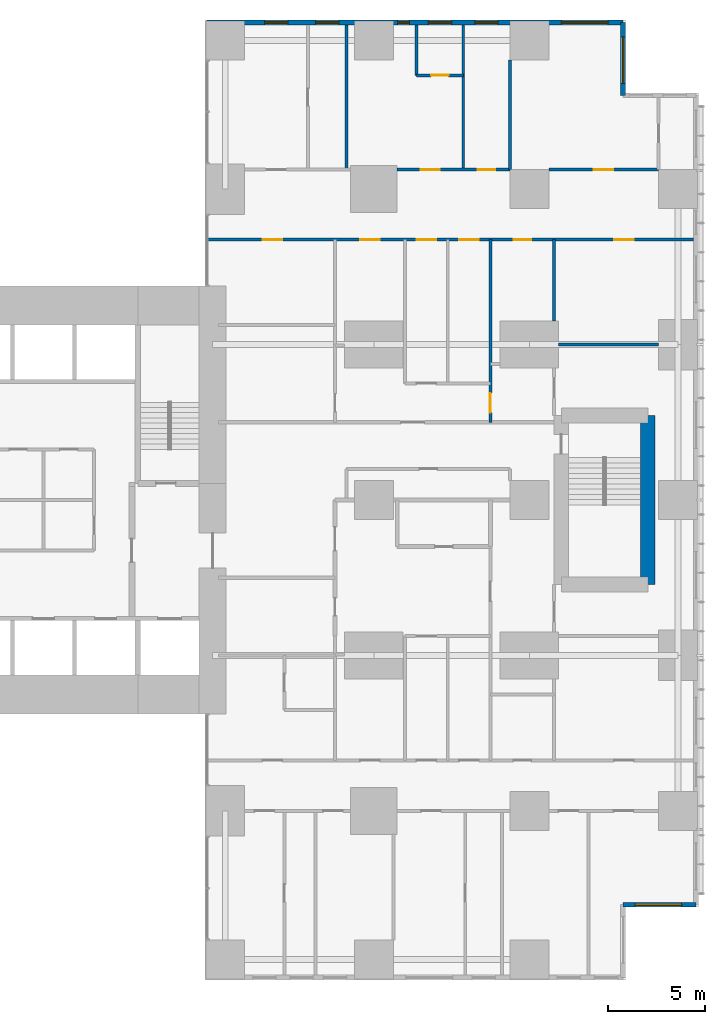
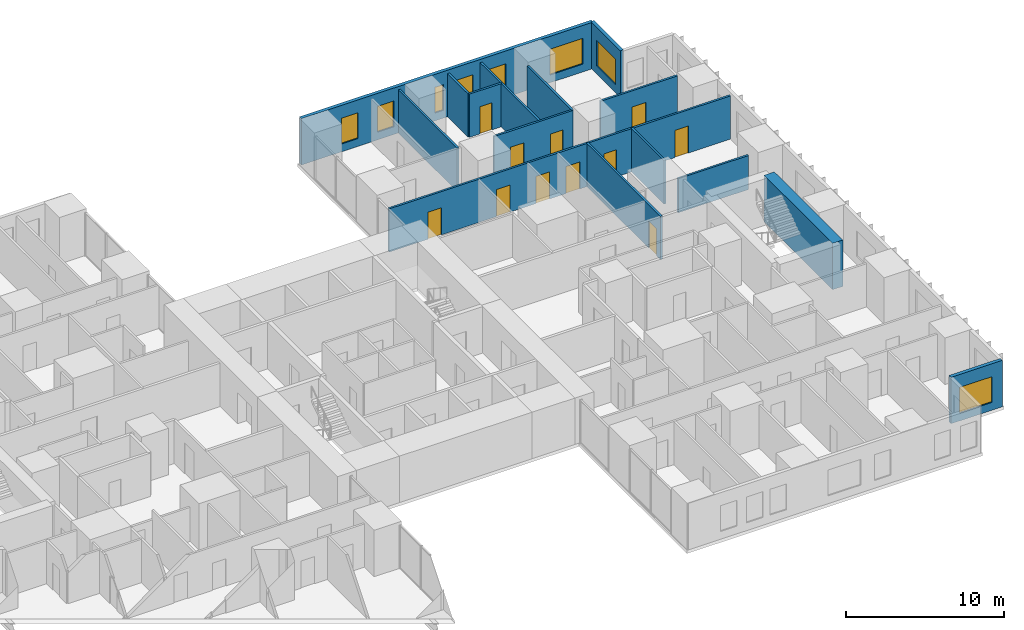
# One storey, part 18 of 20: 15 walls, 11 doors, 8 windows, 19 openings.
"""IFC4 building model written with IfcOpenShell, lengths in metres."""

from ifc_helpers import new_model, si_unit, direction, frame, frame_2d, origin, place, context, subcontext, project, spatial, rectangle, extrude, material, layer, layer_set, type_object, element, fill, save


model = new_model("IFC4")

# Units and contexts
model_context = context("Model", 3, precision=1e-05, world=origin(), true_north=direction((0.0, 1.0)))
body_context = subcontext(model_context, "Body", "Model", "MODEL_VIEW")
ifc_project = project(units=[si_unit("LENGTHUNIT", "METRE"), si_unit("AREAUNIT", "SQUARE_METRE"), si_unit("VOLUMEUNIT", "CUBIC_METRE"), si_unit("PLANEANGLEUNIT", "RADIAN"), si_unit("MASSUNIT", "GRAM", prefix="KILO")], contexts=[model_context])

# Site, building, storey
site_placement = place(None, origin())
site = spatial("IfcSite", under=ifc_project, at=site_placement, CompositionType="ELEMENT")
building_placement = place(site_placement, origin())
building = spatial("IfcBuilding", under=site, at=building_placement, Name="Cleftline Residences", CompositionType="ELEMENT")
storey_placement = place(building_placement, frame((0.0, 0.0, 80.0)))
storey = spatial("IfcBuildingStorey", under=building, at=storey_placement, Name="L20", CompositionType="ELEMENT", Elevation=80.0)

# Wall, opening, window
ifc_material_1 = material(Name="Rendered reinforced concrete blockwork", Category="masonry")
ifc_layer_1 = layer(ifc_material_1, 0.25)
ifc_layer_set_1 = layer_set([ifc_layer_1], Name="EXTERNAL WALL 250")
wall_type_1 = type_object("IfcWallType", Name="EXTERNAL WALL 250", PredefinedType="SOLIDWALL", material=ifc_layer_set_1)
wall_1_placement = place(storey_placement, frame((62.824951171875, 3.175048828125, 0.0), z_axis=(0.0, 0.0, 1.0), x_axis=(1.0, 0.0, 0.0)))
wall_1 = element("IfcWall", 1, at=wall_1_placement, inside=storey, type_object=wall_type_1, Name="External wall", PredefinedType="SOLIDWALL", context=body_context, shape_type="SweptSolid", body=[
    extrude(rectangle(XDim=3.75, YDim=0.25, at=frame_2d((1.875, 0.0))), origin(), (0.0, 0.0, 1.0), 3.60009765625),
])
opening_1_placement = place(wall_1_placement, frame((0.612548828125, 0.0, 0.60009765625)))
opening_1 = element("IfcOpeningElement", 2, at=opening_1_placement, cuts=wall_1, Name="Opening W6", PredefinedType="OPENING", context=body_context, shape_type="SweptSolid", body=[
    extrude(rectangle(XDim=2.39990234375, YDim=2.0, at=frame_2d((1.199951171875, 1.0))), frame((0.0, 0.135009765625, 0.0), z_axis=(0.0, -1.0, 0.0), x_axis=(1.0, 0.0, 0.0)), (0.0, 0.0, 1.0), 0.27001953125),
])
ifc_material_2 = material(Name="Aluminium frame, clear double glazing", Category="aluminium")
window_type_1 = type_object("IfcWindowType", Name="WINDOW 2400X2000", PartitioningType="DOUBLE_PANEL_VERTICAL", PredefinedType="WINDOW", material=ifc_material_2)
window_1_placement = place(opening_1_placement, origin())
window_1 = element("IfcWindow", 3, at=window_1_placement, inside=storey, type_object=window_type_1, Name="Window", OverallHeight=2.0, OverallWidth=2.39990234375, PartitioningType="SINGLE_PANEL", PredefinedType="WINDOW", context=body_context, shape_type="SweptSolid", body=[
    extrude(rectangle(XDim=2.39990234375, YDim=2.0, at=frame_2d((1.199951171875, 1.0))), frame((0.0, 0.030029296875, 0.0), z_axis=(0.0, -1.0, 0.0), x_axis=(1.0, 0.0, 0.0)), (0.0, 0.0, 1.0), 0.06005859375),
])
fill(opening_1, window_1)

wall_2_placement = place(storey_placement, frame((62.824951171875, 44.824951171875, 0.0), z_axis=(0.0, 0.0, 1.0), x_axis=(0.0, 1.0, 0.0)))
wall_2 = element("IfcWall", 4, at=wall_2_placement, inside=storey, type_object=wall_type_1, Name="External wall", PredefinedType="SOLIDWALL", context=body_context, shape_type="SweptSolid", body=[
    extrude(rectangle(XDim=3.75, YDim=0.25, at=frame_2d((1.875, 0.0))), origin(), (0.0, 0.0, 1.0), 3.60009765625),
])
opening_2_placement = place(wall_2_placement, frame((0.612548828125, 0.0, 0.60009765625)))
opening_2 = element("IfcOpeningElement", 5, at=opening_2_placement, cuts=wall_2, Name="Opening W6", PredefinedType="OPENING", context=body_context, shape_type="SweptSolid", body=[
    extrude(rectangle(XDim=2.39990234375, YDim=2.0, at=frame_2d((1.199951171875, 1.0))), frame((0.0, 0.135009765625, 0.0), z_axis=(0.0, -1.0, 0.0), x_axis=(1.0, 0.0, 0.0)), (0.0, 0.0, 1.0), 0.27001953125),
])
window_2_placement = place(opening_2_placement, origin())
window_2 = element("IfcWindow", 6, at=window_2_placement, inside=storey, type_object=window_type_1, Name="Window", OverallHeight=2.0, OverallWidth=2.39990234375, PartitioningType="SINGLE_PANEL", PredefinedType="WINDOW", context=body_context, shape_type="SweptSolid", body=[
    extrude(rectangle(XDim=2.39990234375, YDim=2.0, at=frame_2d((1.199951171875, 1.0))), frame((0.0, 0.030029296875, 0.0), z_axis=(0.0, -1.0, 0.0), x_axis=(1.0, 0.0, 0.0)), (0.0, 0.0, 1.0), 0.06005859375),
])
fill(opening_2, window_2)

# Wall, openings, windows
wall_3_placement = place(storey_placement, frame((62.824951171875, 48.574951171875, 0.0), z_axis=(0.0, 0.0, 1.0), x_axis=(-1.0, 0.0, 0.0)))
wall_3 = element("IfcWall", 7, at=wall_3_placement, inside=storey, type_object=wall_type_1, Name="External wall", PredefinedType="SOLIDWALL", context=body_context, shape_type="SweptSolid", body=[
    extrude(rectangle(XDim=21.39990234375, YDim=0.25, at=frame_2d((10.699951171875, 0.0))), origin(), (0.0, 0.0, 1.0), 3.60009765625),
])
opening_3_placement = place(wall_3_placement, frame((0.77490234375, 0.0, 0.60009765625)))
opening_3 = element("IfcOpeningElement", 8, at=opening_3_placement, cuts=wall_3, Name="Opening W6", PredefinedType="OPENING", context=body_context, shape_type="SweptSolid", body=[
    extrude(rectangle(XDim=2.39990234375, YDim=2.0, at=frame_2d((1.199951171875, 1.0))), frame((0.0, 0.135009765625, 0.0), z_axis=(0.0, -1.0, 0.0), x_axis=(1.0, 0.0, 0.0)), (0.0, 0.0, 1.0), 0.27001953125),
])
opening_4_placement = place(wall_3_placement, frame((6.425048828125, 0.0, 0.60009765625)))
opening_4 = element("IfcOpeningElement", 9, at=opening_4_placement, cuts=wall_3, Name="Opening W8", PredefinedType="OPENING", context=body_context, shape_type="SweptSolid", body=[
    extrude(rectangle(XDim=1.199951171875, YDim=2.0, at=frame_2d((0.60009765625, 1.0))), frame((0.0, 0.135009765625, 0.0), z_axis=(0.0, -1.0, 0.0), x_axis=(1.0, 0.0, 0.0)), (0.0, 0.0, 1.0), 0.27001953125),
])
opening_5_placement = place(wall_3_placement, frame((8.824951171875, 0.0, 0.60009765625)))
opening_5 = element("IfcOpeningElement", 10, at=opening_5_placement, cuts=wall_3, Name="Opening W8", PredefinedType="OPENING", context=body_context, shape_type="SweptSolid", body=[
    extrude(rectangle(XDim=1.199951171875, YDim=2.0, at=frame_2d((0.60009765625, 1.0))), frame((0.0, 0.135009765625, 0.0), z_axis=(0.0, -1.0, 0.0), x_axis=(1.0, 0.0, 0.0)), (0.0, 0.0, 1.0), 0.27001953125),
])
opening_6_placement = place(wall_3_placement, frame((11.0, 0.0, 0.60009765625)))
opening_6 = element("IfcOpeningElement", 11, at=opening_6_placement, cuts=wall_3, Name="Opening W7", PredefinedType="OPENING", context=body_context, shape_type="SweptSolid", body=[
    extrude(rectangle(XDim=0.60009765625, YDim=2.0, at=frame_2d((0.300048828125, 1.0))), frame((0.0, 0.135009765625, 0.0), z_axis=(0.0, -1.0, 0.0), x_axis=(1.0, 0.0, 0.0)), (0.0, 0.0, 1.0), 0.27001953125),
])
opening_7_placement = place(wall_3_placement, frame((14.625, 0.0, 0.60009765625)))
opening_7 = element("IfcOpeningElement", 12, at=opening_7_placement, cuts=wall_3, Name="Opening W8", PredefinedType="OPENING", context=body_context, shape_type="SweptSolid", body=[
    extrude(rectangle(XDim=1.199951171875, YDim=2.0, at=frame_2d((0.60009765625, 1.0))), frame((0.0, 0.135009765625, 0.0), z_axis=(0.0, -1.0, 0.0), x_axis=(1.0, 0.0, 0.0)), (0.0, 0.0, 1.0), 0.27001953125),
])
opening_8_placement = place(wall_3_placement, frame((17.25, 0.0, 0.60009765625)))
opening_8 = element("IfcOpeningElement", 13, at=opening_8_placement, cuts=wall_3, Name="Opening W8", PredefinedType="OPENING", context=body_context, shape_type="SweptSolid", body=[
    extrude(rectangle(XDim=1.199951171875, YDim=2.0, at=frame_2d((0.60009765625, 1.0))), frame((0.0, 0.135009765625, 0.0), z_axis=(0.0, -1.0, 0.0), x_axis=(1.0, 0.0, 0.0)), (0.0, 0.0, 1.0), 0.27001953125),
])
ifc_material_3 = material(Name="Aluminium frame, clear double glazing", Category="aluminium")
window_type_2 = type_object("IfcWindowType", Name="WINDOW 1200X2000", PartitioningType="DOUBLE_PANEL_VERTICAL", PredefinedType="WINDOW", material=ifc_material_3)
window_3_placement = place(opening_4_placement, origin())
window_3 = element("IfcWindow", 14, at=window_3_placement, inside=storey, type_object=window_type_2, Name="Window", OverallHeight=2.0, OverallWidth=1.199951171875, PartitioningType="SINGLE_PANEL", PredefinedType="WINDOW", context=body_context, shape_type="SweptSolid", body=[
    extrude(rectangle(XDim=1.199951171875, YDim=2.0, at=frame_2d((0.60009765625, 1.0))), frame((0.0, 0.030029296875, 0.0), z_axis=(0.0, -1.0, 0.0), x_axis=(1.0, 0.0, 0.0)), (0.0, 0.0, 1.0), 0.06005859375),
])
fill(opening_4, window_3)
window_4_placement = place(opening_5_placement, origin())
window_4 = element("IfcWindow", 15, at=window_4_placement, inside=storey, type_object=window_type_2, Name="Window", OverallHeight=2.0, OverallWidth=1.199951171875, PartitioningType="SINGLE_PANEL", PredefinedType="WINDOW", context=body_context, shape_type="SweptSolid", body=[
    extrude(rectangle(XDim=1.199951171875, YDim=2.0, at=frame_2d((0.60009765625, 1.0))), frame((0.0, 0.030029296875, 0.0), z_axis=(0.0, -1.0, 0.0), x_axis=(1.0, 0.0, 0.0)), (0.0, 0.0, 1.0), 0.06005859375),
])
fill(opening_5, window_4)
window_5_placement = place(opening_7_placement, origin())
window_5 = element("IfcWindow", 16, at=window_5_placement, inside=storey, type_object=window_type_2, Name="Window", OverallHeight=2.0, OverallWidth=1.199951171875, PartitioningType="SINGLE_PANEL", PredefinedType="WINDOW", context=body_context, shape_type="SweptSolid", body=[
    extrude(rectangle(XDim=1.199951171875, YDim=2.0, at=frame_2d((0.60009765625, 1.0))), frame((0.0, 0.030029296875, 0.0), z_axis=(0.0, -1.0, 0.0), x_axis=(1.0, 0.0, 0.0)), (0.0, 0.0, 1.0), 0.06005859375),
])
fill(opening_7, window_5)
window_6_placement = place(opening_8_placement, origin())
window_6 = element("IfcWindow", 17, at=window_6_placement, inside=storey, type_object=window_type_2, Name="Window", OverallHeight=2.0, OverallWidth=1.199951171875, PartitioningType="SINGLE_PANEL", PredefinedType="WINDOW", context=body_context, shape_type="SweptSolid", body=[
    extrude(rectangle(XDim=1.199951171875, YDim=2.0, at=frame_2d((0.60009765625, 1.0))), frame((0.0, 0.030029296875, 0.0), z_axis=(0.0, -1.0, 0.0), x_axis=(1.0, 0.0, 0.0)), (0.0, 0.0, 1.0), 0.06005859375),
])
fill(opening_8, window_6)
window_7_placement = place(opening_3_placement, origin())
window_7 = element("IfcWindow", 18, at=window_7_placement, inside=storey, type_object=window_type_1, Name="Window", OverallHeight=2.0, OverallWidth=2.39990234375, PartitioningType="SINGLE_PANEL", PredefinedType="WINDOW", context=body_context, shape_type="SweptSolid", body=[
    extrude(rectangle(XDim=2.39990234375, YDim=2.0, at=frame_2d((1.199951171875, 1.0))), frame((0.0, 0.030029296875, 0.0), z_axis=(0.0, -1.0, 0.0), x_axis=(1.0, 0.0, 0.0)), (0.0, 0.0, 1.0), 0.06005859375),
])
fill(opening_3, window_7)
ifc_material_4 = material(Name="Aluminium frame, clear double glazing", Category="aluminium")
window_type_3 = type_object("IfcWindowType", Name="WINDOW 600X2000", PartitioningType="DOUBLE_PANEL_VERTICAL", PredefinedType="WINDOW", material=ifc_material_4)
window_8_placement = place(opening_6_placement, origin())
window_8 = element("IfcWindow", 19, at=window_8_placement, inside=storey, type_object=window_type_3, Name="Window", OverallHeight=2.0, OverallWidth=0.60009765625, PartitioningType="SINGLE_PANEL", PredefinedType="WINDOW", context=body_context, shape_type="SweptSolid", body=[
    extrude(rectangle(XDim=0.60009765625, YDim=2.0, at=frame_2d((0.300048828125, 1.0))), frame((0.0, 0.030029296875, 0.0), z_axis=(0.0, -1.0, 0.0), x_axis=(1.0, 0.0, 0.0)), (0.0, 0.0, 1.0), 0.06005859375),
])
fill(opening_6, window_8)

# Wall
ifc_material_5 = material(Name="Gypsum board on steel studs", Category="steel")
ifc_layer_2 = layer(ifc_material_5, 0.14990234375)
ifc_layer_set_2 = layer_set([ifc_layer_2], Name="PARTITION 150")
wall_type_2 = type_object("IfcWallType", Name="PARTITION 150", PredefinedType="PARTITIONING", material=ifc_layer_set_2)
wall_4_placement = place(storey_placement, frame((59.5, 32.0, 0.0), z_axis=(0.0, 0.0, 1.0), x_axis=(1.0, 0.0, 0.0)))
element("IfcWall", 20, at=wall_4_placement, inside=storey, type_object=wall_type_2, Name="Partition", PredefinedType="PARTITIONING", context=body_context, shape_type="SweptSolid", body=[
    extrude(rectangle(XDim=5.14990234375, YDim=0.14990234375, at=frame_2d((2.574951171875, 0.0))), origin(), (0.0, 0.0, 1.0), 2.634033203125),
])

# Wall, openings, doors
wall_5_placement = place(storey_placement, frame((41.43896484375, 37.39990234375, 0.0), z_axis=(0.0, 0.0, 1.0), x_axis=(1.0, 0.0, 0.0)))
wall_5 = element("IfcWall", 21, at=wall_5_placement, inside=storey, type_object=wall_type_2, Name="Partition", PredefinedType="PARTITIONING", context=body_context, shape_type="SweptSolid", body=[
    extrude(rectangle(XDim=25.010986328125, YDim=0.14990234375, at=frame_2d((12.50537109375, 0.0))), origin(), (0.0, 0.0, 1.0), 3.35009765625),
])
opening_9_placement = place(wall_5_placement, frame((10.760986328125, 0.0, 0.0)))
opening_9 = element("IfcOpeningElement", 22, at=opening_9_placement, cuts=wall_5, Name="Opening D2", PredefinedType="OPENING", context=body_context, shape_type="SweptSolid", body=[
    extrude(rectangle(XDim=1.0, YDim=2.10009765625, at=frame_2d((0.5, 1.050048828125))), frame((0.0, 0.0849609375, 0.0), z_axis=(0.0, -1.0, 0.0), x_axis=(1.0, 0.0, 0.0)), (0.0, 0.0, 1.0), 0.169921875),
])
opening_10_placement = place(wall_5_placement, frame((20.923583984375, 0.0, 0.0)))
opening_10 = element("IfcOpeningElement", 23, at=opening_10_placement, cuts=wall_5, Name="Opening D2", PredefinedType="OPENING", context=body_context, shape_type="SweptSolid", body=[
    extrude(rectangle(XDim=1.0, YDim=2.10009765625, at=frame_2d((0.5, 1.050048828125))), frame((0.0, 0.0849609375, 0.0), z_axis=(0.0, -1.0, 0.0), x_axis=(1.0, 0.0, 0.0)), (0.0, 0.0, 1.0), 0.169921875),
])
opening_11_placement = place(wall_5_placement, frame((15.74853515625, 0.0, 0.0)))
opening_11 = element("IfcOpeningElement", 24, at=opening_11_placement, cuts=wall_5, Name="Opening D1", PredefinedType="OPENING", context=body_context, shape_type="SweptSolid", body=[
    extrude(rectangle(XDim=0.89990234375, YDim=2.10009765625, at=frame_2d((0.449951171875, 1.050048828125))), frame((0.0, 0.0849609375, 0.0), z_axis=(0.0, -1.0, 0.0), x_axis=(1.0, 0.0, 0.0)), (0.0, 0.0, 1.0), 0.169921875),
])
opening_12_placement = place(wall_5_placement, frame((12.9609375, 0.0, 0.0)))
opening_12 = element("IfcOpeningElement", 25, at=opening_12_placement, cuts=wall_5, Name="Opening D2", PredefinedType="OPENING", context=body_context, shape_type="SweptSolid", body=[
    extrude(rectangle(XDim=1.0, YDim=2.10009765625, at=frame_2d((0.5, 1.050048828125))), frame((0.0, 0.0849609375, 0.0), z_axis=(0.0, -1.0, 0.0), x_axis=(1.0, 0.0, 0.0)), (0.0, 0.0, 1.0), 0.169921875),
])
opening_13_placement = place(wall_5_placement, frame((7.861083984375, 0.0, 0.0)))
opening_13 = element("IfcOpeningElement", 26, at=opening_13_placement, cuts=wall_5, Name="Opening D2", PredefinedType="OPENING", context=body_context, shape_type="SweptSolid", body=[
    extrude(rectangle(XDim=1.0, YDim=2.10009765625, at=frame_2d((0.5, 1.050048828125))), frame((0.0, 0.0849609375, 0.0), z_axis=(0.0, -1.0, 0.0), x_axis=(1.0, 0.0, 0.0)), (0.0, 0.0, 1.0), 0.169921875),
])
opening_14_placement = place(wall_5_placement, frame((2.8359375, 0.0, 0.0)))
opening_14 = element("IfcOpeningElement", 27, at=opening_14_placement, cuts=wall_5, Name="Opening D2", PredefinedType="OPENING", context=body_context, shape_type="SweptSolid", body=[
    extrude(rectangle(XDim=1.0, YDim=2.10009765625, at=frame_2d((0.5, 1.050048828125))), frame((0.0, 0.0849609375, 0.0), z_axis=(0.0, -1.0, 0.0), x_axis=(1.0, 0.0, 0.0)), (0.0, 0.0, 1.0), 0.169921875),
])
ifc_material_6 = material(Name="Timber veneer on solid core", Category="wood")
door_type_1 = type_object("IfcDoorType", Name="DOOR 1000X2100", OperationType="SINGLE_SWING_LEFT", PredefinedType="DOOR", material=ifc_material_6)
door_1_placement = place(opening_9_placement, origin())
door_1 = element("IfcDoor", 28, at=door_1_placement, inside=storey, type_object=door_type_1, Name="Door to residence hall", OperationType="SINGLE_SWING_RIGHT", OverallHeight=2.10009765625, OverallWidth=1.0, PredefinedType="DOOR", context=body_context, shape_type="SweptSolid", body=[
    extrude(rectangle(XDim=1.0, YDim=2.10009765625, at=frame_2d((0.5, 1.050048828125))), frame((0.0, 0.02490234375, 0.0), z_axis=(0.0, -1.0, 0.0), x_axis=(1.0, 0.0, 0.0)), (0.0, 0.0, 1.0), 0.050048828125),
])
fill(opening_9, door_1)
door_2_placement = place(opening_10_placement, origin())
door_2 = element("IfcDoor", 29, at=door_2_placement, inside=storey, type_object=door_type_1, Name="Door to sea-view living room", OperationType="SINGLE_SWING_LEFT", OverallHeight=2.10009765625, OverallWidth=1.0, PredefinedType="DOOR", context=body_context, shape_type="SweptSolid", body=[
    extrude(rectangle(XDim=1.0, YDim=2.10009765625, at=frame_2d((0.5, 1.050048828125))), frame((0.0, 0.02490234375, 0.0), z_axis=(0.0, -1.0, 0.0), x_axis=(1.0, 0.0, 0.0)), (0.0, 0.0, 1.0), 0.050048828125),
])
fill(opening_10, door_2)
door_3_placement = place(opening_12_placement, origin())
door_3 = element("IfcDoor", 30, at=door_3_placement, inside=storey, type_object=door_type_1, Name="Door to show kitchen", OperationType="SINGLE_SWING_LEFT", OverallHeight=2.10009765625, OverallWidth=1.0, PredefinedType="DOOR", context=body_context, shape_type="SweptSolid", body=[
    extrude(rectangle(XDim=1.0, YDim=2.10009765625, at=frame_2d((0.5, 1.050048828125))), frame((0.0, 0.02490234375, 0.0), z_axis=(0.0, -1.0, 0.0), x_axis=(1.0, 0.0, 0.0)), (0.0, 0.0, 1.0), 0.050048828125),
])
fill(opening_12, door_3)
door_4_placement = place(opening_13_placement, origin())
door_4 = element("IfcDoor", 31, at=door_4_placement, inside=storey, type_object=door_type_1, Name="Door to wet kitchen", OperationType="SINGLE_SWING_RIGHT", OverallHeight=2.10009765625, OverallWidth=1.0, PredefinedType="DOOR", context=body_context, shape_type="SweptSolid", body=[
    extrude(rectangle(XDim=1.0, YDim=2.10009765625, at=frame_2d((0.5, 1.050048828125))), frame((0.0, 0.02490234375, 0.0), z_axis=(0.0, -1.0, 0.0), x_axis=(1.0, 0.0, 0.0)), (0.0, 0.0, 1.0), 0.050048828125),
])
fill(opening_13, door_4)
door_5_placement = place(opening_14_placement, origin())
door_5 = element("IfcDoor", 32, at=door_5_placement, inside=storey, type_object=door_type_1, Name="Door to study", OperationType="SINGLE_SWING_RIGHT", OverallHeight=2.10009765625, OverallWidth=1.0, PredefinedType="DOOR", context=body_context, shape_type="SweptSolid", body=[
    extrude(rectangle(XDim=1.0, YDim=2.10009765625, at=frame_2d((0.5, 1.050048828125))), frame((0.0, 0.02490234375, 0.0), z_axis=(0.0, -1.0, 0.0), x_axis=(1.0, 0.0, 0.0)), (0.0, 0.0, 1.0), 0.050048828125),
])
fill(opening_14, door_5)
ifc_material_7 = material(Name="Timber veneer on solid core", Category="wood")
door_type_2 = type_object("IfcDoorType", Name="DOOR 900X2100", OperationType="SINGLE_SWING_LEFT", PredefinedType="DOOR", material=ifc_material_7)
door_6_placement = place(opening_11_placement, origin())
door_6 = element("IfcDoor", 33, at=door_6_placement, inside=storey, type_object=door_type_2, Name="Door to master bathroom", OperationType="SINGLE_SWING_LEFT", OverallHeight=2.10009765625, OverallWidth=0.89990234375, PredefinedType="DOOR", context=body_context, shape_type="SweptSolid", body=[
    extrude(rectangle(XDim=0.89990234375, YDim=2.10009765625, at=frame_2d((0.449951171875, 1.050048828125))), frame((0.0, 0.02490234375, 0.0), z_axis=(0.0, -1.0, 0.0), x_axis=(1.0, 0.0, 0.0)), (0.0, 0.0, 1.0), 0.050048828125),
])
fill(opening_11, door_6)

wall_6_placement = place(storey_placement, frame((51.199951171875, 41.0, 0.0), z_axis=(0.0, 0.0, 1.0), x_axis=(1.0, 0.0, 0.0)))
wall_6 = element("IfcWall", 34, at=wall_6_placement, inside=storey, type_object=wall_type_2, Name="Partition", PredefinedType="PARTITIONING", context=body_context, shape_type="SweptSolid", body=[
    extrude(rectangle(XDim=5.800048828125, YDim=0.14990234375, at=frame_2d((2.89990234375, 0.0))), origin(), (0.0, 0.0, 1.0), 3.35009765625),
])
opening_15_placement = place(wall_6_placement, frame((4.14990234375, 0.0, 0.0)))
opening_15 = element("IfcOpeningElement", 35, at=opening_15_placement, cuts=wall_6, Name="Opening D1", PredefinedType="OPENING", context=body_context, shape_type="SweptSolid", body=[
    extrude(rectangle(XDim=0.89990234375, YDim=2.10009765625, at=frame_2d((0.449951171875, 1.050048828125))), frame((0.0, 0.0849609375, 0.0), z_axis=(0.0, -1.0, 0.0), x_axis=(1.0, 0.0, 0.0)), (0.0, 0.0, 1.0), 0.169921875),
])
opening_16_placement = place(wall_6_placement, frame((1.199951171875, 0.0, 0.0)))
opening_16 = element("IfcOpeningElement", 36, at=opening_16_placement, cuts=wall_6, Name="Opening D2", PredefinedType="OPENING", context=body_context, shape_type="SweptSolid", body=[
    extrude(rectangle(XDim=1.0, YDim=2.10009765625, at=frame_2d((0.5, 1.050048828125))), frame((0.0, 0.0849609375, 0.0), z_axis=(0.0, -1.0, 0.0), x_axis=(1.0, 0.0, 0.0)), (0.0, 0.0, 1.0), 0.169921875),
])
door_7_placement = place(opening_16_placement, origin())
door_7 = element("IfcDoor", 37, at=door_7_placement, inside=storey, type_object=door_type_1, Name="Door to bedroom 2", OperationType="SINGLE_SWING_RIGHT", OverallHeight=2.10009765625, OverallWidth=1.0, PredefinedType="DOOR", context=body_context, shape_type="SweptSolid", body=[
    extrude(rectangle(XDim=1.0, YDim=2.10009765625, at=frame_2d((0.5, 1.050048828125))), frame((0.0, 0.02490234375, 0.0), z_axis=(0.0, -1.0, 0.0), x_axis=(1.0, 0.0, 0.0)), (0.0, 0.0, 1.0), 0.050048828125),
])
fill(opening_16, door_7)
door_8_placement = place(opening_15_placement, origin())
door_8 = element("IfcDoor", 38, at=door_8_placement, inside=storey, type_object=door_type_2, Name="Door to master dressing room", OperationType="SINGLE_SWING_LEFT", OverallHeight=2.10009765625, OverallWidth=0.89990234375, PredefinedType="DOOR", context=body_context, shape_type="SweptSolid", body=[
    extrude(rectangle(XDim=0.89990234375, YDim=2.10009765625, at=frame_2d((0.449951171875, 1.050048828125))), frame((0.0, 0.02490234375, 0.0), z_axis=(0.0, -1.0, 0.0), x_axis=(1.0, 0.0, 0.0)), (0.0, 0.0, 1.0), 0.050048828125),
])
fill(opening_15, door_8)

# Wall, opening, door
wall_7_placement = place(storey_placement, frame((59.0, 41.0, 0.0), z_axis=(0.0, 0.0, 1.0), x_axis=(1.0, 0.0, 0.0)))
wall_7 = element("IfcWall", 39, at=wall_7_placement, inside=storey, type_object=wall_type_2, Name="Partition", PredefinedType="PARTITIONING", context=body_context, shape_type="SweptSolid", body=[
    extrude(rectangle(XDim=5.64990234375, YDim=0.14990234375, at=frame_2d((2.824951171875, 0.0))), origin(), (0.0, 0.0, 1.0), 3.35009765625),
])
opening_17_placement = place(wall_7_placement, frame((2.324951171875, 0.0, 0.0)))
opening_17 = element("IfcOpeningElement", 40, at=opening_17_placement, cuts=wall_7, Name="Opening D2", PredefinedType="OPENING", context=body_context, shape_type="SweptSolid", body=[
    extrude(rectangle(XDim=1.0, YDim=2.10009765625, at=frame_2d((0.5, 1.050048828125))), frame((0.0, 0.0849609375, 0.0), z_axis=(0.0, -1.0, 0.0), x_axis=(1.0, 0.0, 0.0)), (0.0, 0.0, 1.0), 0.169921875),
])
door_9_placement = place(opening_17_placement, origin())
door_9 = element("IfcDoor", 41, at=door_9_placement, inside=storey, type_object=door_type_1, Name="Door to master bedroom", OperationType="SINGLE_SWING_LEFT", OverallHeight=2.10009765625, OverallWidth=1.0, PredefinedType="DOOR", context=body_context, shape_type="SweptSolid", body=[
    extrude(rectangle(XDim=1.0, YDim=2.10009765625, at=frame_2d((0.5, 1.050048828125))), frame((0.0, 0.02490234375, 0.0), z_axis=(0.0, -1.0, 0.0), x_axis=(1.0, 0.0, 0.0)), (0.0, 0.0, 1.0), 0.050048828125),
])
fill(opening_17, door_9)

wall_8_placement = place(storey_placement, frame((52.199951171875, 45.85009765625, 0.0), z_axis=(0.0, 0.0, 1.0), x_axis=(1.0, 0.0, 0.0)))
wall_8 = element("IfcWall", 42, at=wall_8_placement, inside=storey, type_object=wall_type_2, Name="Partition", PredefinedType="PARTITIONING", context=body_context, shape_type="SweptSolid", body=[
    extrude(rectangle(XDim=2.400146484375, YDim=0.14990234375, at=frame_2d((1.2001953125, 0.0))), origin(), (0.0, 0.0, 1.0), 3.35009765625),
])
opening_18_placement = place(wall_8_placement, frame((0.75, 0.0, 0.0)))
opening_18 = element("IfcOpeningElement", 43, at=opening_18_placement, cuts=wall_8, Name="Opening D1", PredefinedType="OPENING", context=body_context, shape_type="SweptSolid", body=[
    extrude(rectangle(XDim=0.89990234375, YDim=2.10009765625, at=frame_2d((0.449951171875, 1.050048828125))), frame((0.0, 0.0849609375, 0.0), z_axis=(0.0, -1.0, 0.0), x_axis=(1.0, 0.0, 0.0)), (0.0, 0.0, 1.0), 0.169921875),
])
door_10_placement = place(opening_18_placement, origin())
door_10 = element("IfcDoor", 44, at=door_10_placement, inside=storey, type_object=door_type_2, Name="Door to en-suite bathroom 2", OperationType="SINGLE_SWING_LEFT", OverallHeight=2.10009765625, OverallWidth=0.89990234375, PredefinedType="DOOR", context=body_context, shape_type="SweptSolid", body=[
    extrude(rectangle(XDim=0.89990234375, YDim=2.10009765625, at=frame_2d((0.449951171875, 1.050048828125))), frame((0.0, 0.02490234375, 0.0), z_axis=(0.0, -1.0, 0.0), x_axis=(1.0, 0.0, 0.0)), (0.0, 0.0, 1.0), 0.050048828125),
])
fill(opening_18, door_10)

# Walls
wall_9_placement = place(storey_placement, frame((48.60009765625, 41.0, 0.0), z_axis=(0.0, 0.0, 1.0), x_axis=(0.0, 1.0, 0.0)))
element("IfcWall", 45, at=wall_9_placement, inside=storey, type_object=wall_type_2, Name="Partition", PredefinedType="PARTITIONING", context=body_context, shape_type="SweptSolid", body=[
    extrude(rectangle(XDim=7.449951171875, YDim=0.14990234375, at=frame_2d((3.72509765625, 0.0))), origin(), (0.0, 0.0, 1.0), 3.35009765625),
])
wall_10_placement = place(storey_placement, frame((52.199951171875, 45.85009765625, 0.0), z_axis=(0.0, 0.0, 1.0), x_axis=(0.0, 1.0, 0.0)))
element("IfcWall", 46, at=wall_10_placement, inside=storey, type_object=wall_type_2, Name="Partition", PredefinedType="PARTITIONING", context=body_context, shape_type="SweptSolid", body=[
    extrude(rectangle(XDim=2.599853515625, YDim=0.14990234375, at=frame_2d((1.2998046875, 0.0))), origin(), (0.0, 0.0, 1.0), 3.35009765625),
])
wall_11_placement = place(storey_placement, frame((54.60009765625, 41.0, 0.0), z_axis=(0.0, 0.0, 1.0), x_axis=(0.0, 1.0, 0.0)))
element("IfcWall", 47, at=wall_11_placement, inside=storey, type_object=wall_type_2, Name="Partition", PredefinedType="PARTITIONING", context=body_context, shape_type="SweptSolid", body=[
    extrude(rectangle(XDim=7.449951171875, YDim=0.14990234375, at=frame_2d((3.72509765625, 0.0))), origin(), (0.0, 0.0, 1.0), 3.35009765625),
])

# Wall, opening, door
wall_12_placement = place(storey_placement, frame((56.0, 28.0, 0.0), z_axis=(0.0, 0.0, 1.0), x_axis=(0.0, 1.0, 0.0)))
wall_12 = element("IfcWall", 48, at=wall_12_placement, inside=storey, type_object=wall_type_2, Name="Partition", PredefinedType="PARTITIONING", context=body_context, shape_type="SweptSolid", body=[
    extrude(rectangle(XDim=9.39990234375, YDim=0.14990234375, at=frame_2d((4.699951171875, 0.0))), origin(), (0.0, 0.0, 1.0), 3.35009765625),
])
opening_19_placement = place(wall_12_placement, frame((0.5, 0.0, 0.0)))
opening_19 = element("IfcOpeningElement", 49, at=opening_19_placement, cuts=wall_12, Name="Opening D2F30", PredefinedType="OPENING", context=body_context, shape_type="SweptSolid", body=[
    extrude(rectangle(XDim=1.0, YDim=2.10009765625, at=frame_2d((0.5, 1.050048828125))), frame((0.0, 0.0849609375, 0.0), z_axis=(0.0, -1.0, 0.0), x_axis=(1.0, 0.0, 0.0)), (0.0, 0.0, 1.0), 0.169921875),
])
ifc_material_8 = material(Name="Timber veneer on solid core", Category="wood")
door_type_3 = type_object("IfcDoorType", Name="DOOR 1000X2100 EI 30", OperationType="SINGLE_SWING_LEFT", PredefinedType="DOOR", material=ifc_material_8)
door_11_placement = place(opening_19_placement, origin())
door_11 = element("IfcDoor", 50, at=door_11_placement, inside=storey, type_object=door_type_3, Name="Door to residence lobby (service)", OperationType="SINGLE_SWING_RIGHT", OverallHeight=2.10009765625, OverallWidth=1.0, PredefinedType="DOOR", context=body_context, shape_type="SweptSolid", body=[
    extrude(rectangle(XDim=1.0, YDim=2.10009765625, at=frame_2d((0.5, 1.050048828125))), frame((0.0, 0.02490234375, 0.0), z_axis=(0.0, -1.0, 0.0), x_axis=(1.0, 0.0, 0.0)), (0.0, 0.0, 1.0), 0.050048828125),
])
fill(opening_19, door_11)

# Walls
wall_13_placement = place(storey_placement, frame((57.0, 41.0, 0.0), z_axis=(0.0, 0.0, 1.0), x_axis=(0.0, 1.0, 0.0)))
element("IfcWall", 51, at=wall_13_placement, inside=storey, type_object=wall_type_2, Name="Partition", PredefinedType="PARTITIONING", context=body_context, shape_type="SweptSolid", body=[
    extrude(rectangle(XDim=5.64990234375, YDim=0.14990234375, at=frame_2d((2.824951171875, 0.0))), origin(), (0.0, 0.0, 1.0), 3.35009765625),
])
wall_14_placement = place(storey_placement, frame((59.27490234375, 33.199951171875, 0.0), z_axis=(0.0, 0.0, 1.0), x_axis=(0.0, 1.0, 0.0)))
element("IfcWall", 52, at=wall_14_placement, inside=storey, type_object=wall_type_2, Name="Partition", PredefinedType="PARTITIONING", context=body_context, shape_type="SweptSolid", body=[
    extrude(rectangle(XDim=4.199951171875, YDim=0.14990234375, at=frame_2d((2.10009765625, 0.0))), origin(), (0.0, 0.0, 1.0), 3.35009765625),
])
ifc_material_9 = material(Name="Concrete B70", Category="concrete")
ifc_layer_3 = layer(ifc_material_9, 0.75)
ifc_layer_set_3 = layer_set([ifc_layer_3], Name="SHEAR WALL 750")
wall_type_3 = type_object("IfcWallType", Name="SHEAR WALL 750", PredefinedType="SHEAR", material=ifc_layer_set_3)
wall_15_placement = place(storey_placement, frame((64.10009765625, 19.64990234375, 0.0), z_axis=(0.0, 0.0, 1.0), x_axis=(0.0, 1.0, 0.0)))
element("IfcWall", 53, at=wall_15_placement, inside=storey, type_object=wall_type_3, Name="Wing shear wall", PredefinedType="SHEAR", context=body_context, shape_type="SweptSolid", body=[
    extrude(rectangle(XDim=8.7001953125, YDim=0.75, at=frame_2d((4.35009765625, 0.0))), origin(), (0.0, 0.0, 1.0), 3.60009765625),
])

save(model, "model.ifc")
